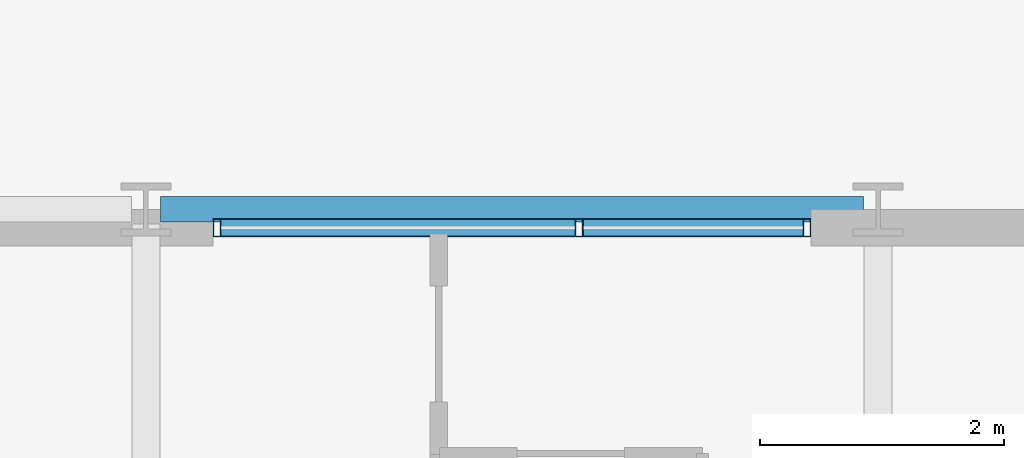
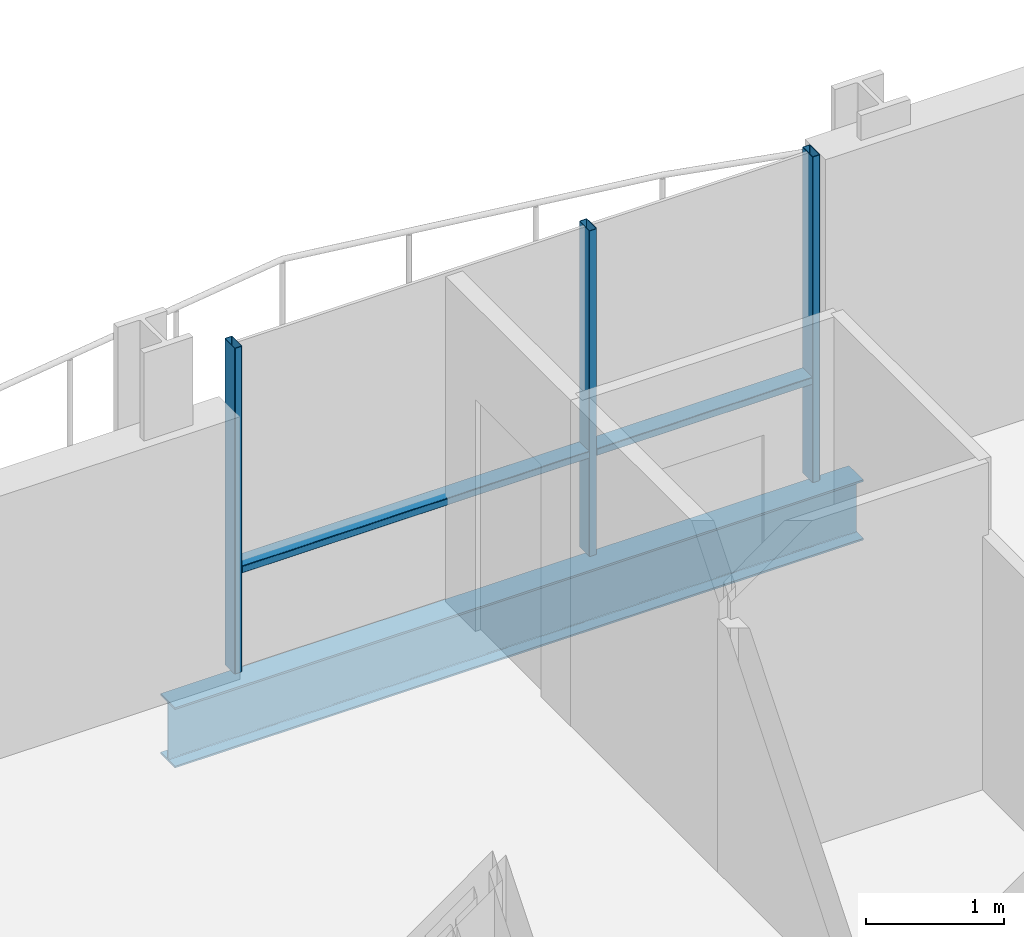
# One storey, part 24 of 41: 5 members, 1 beam, 1 element without a shape of its own.
"""IFC4 building model written with IfcOpenShell, lengths in metres."""

import ifcopenshell
import ifcopenshell.guid

model = None  # the IFC model being written
_history = None  # IfcOwnerHistory: only IFC2X3 demands one
_inside = {}  # id of a spatial element -> (the spatial element, [elements in it])
_under = {}  # id of a project, library or spatial element -> (it, [spatial elements below it])
_declared = {}  # id of a project -> (the project, [libraries it declares])
_typed = {}  # id of a type object -> (the type object, [elements of that type])
_made_of = {}  # id of a material, layer set ... -> (it, [elements and type objects made of it])


def new_model(schema):
    """Start an empty IFC model of exactly this schema.

    Asked for "IFC4X3", IfcOpenShell would pick the latest addendum, in which some entities
    have other attributes; the version numbers below select the first issue.
    IFC2X3 requires an IfcOwnerHistory on every rooted entity: one is made here for all.
    """
    global model, _history
    if schema == "IFC4X3":
        model = ifcopenshell.file(schema_version=(4, 3, 0, 0))
    else:
        model = ifcopenshell.file(schema=schema)
    _inside.clear()
    _under.clear()
    _declared.clear()
    _typed.clear()
    _made_of.clear()
    _history = None
    if model.schema == "IFC2X3":
        org = make("IfcOrganization", Name="unknown")
        user = make(
            "IfcPersonAndOrganization",
            ThePerson=make("IfcPerson", FamilyName="unknown"),
            TheOrganization=org,
        )
        app = make(
            "IfcApplication",
            ApplicationDeveloper=org,
            Version="unknown",
            ApplicationFullName="unknown",
            ApplicationIdentifier="unknown",
        )
        _history = make(
            "IfcOwnerHistory",
            OwningUser=user,
            OwningApplication=app,
            ChangeAction="ADDED",
            CreationDate=0,
        )
    return model


def make(cls, **values):
    """One entity of the class cls with the attributes given. An attribute that is None is left unset."""
    return model.create_entity(
        cls, **{name: value for name, value in values.items() if value is not None}
    )


def rooted(cls, **values):
    """An entity with a GlobalId (a new one), such as an element, a storey or a relation."""
    return make(cls, GlobalId=ifcopenshell.guid.new(), OwnerHistory=_history, **values)


def si_unit(unit_type, name, prefix=None):
    """IfcSIUnit, for example si_unit("LENGTHUNIT", "METRE", prefix="MILLI")."""
    return make("IfcSIUnit", UnitType=unit_type, Prefix=prefix, Name=name)


def assignment(units):
    """IfcUnitAssignment: the units of a project."""
    return None if units is None else make("IfcUnitAssignment", Units=units)


def point(xyz):
    """IfcCartesianPoint."""
    return None if xyz is None else make("IfcCartesianPoint", Coordinates=xyz)


def direction(xyz):
    """IfcDirection."""
    return None if xyz is None else make("IfcDirection", DirectionRatios=xyz)


def frame(location, z_axis=None, x_axis=None):
    """IfcAxis2Placement3D, a coordinate frame: its origin and axes. An axis left out is left unset."""
    return make(
        "IfcAxis2Placement3D",
        Location=point(location),
        Axis=direction(z_axis),
        RefDirection=direction(x_axis),
    )


def frame_2d(location, x_axis=None):
    """IfcAxis2Placement2D, a coordinate frame in the plane: its origin and x axis."""
    return make(
        "IfcAxis2Placement2D", Location=point(location), RefDirection=direction(x_axis)
    )


def origin():
    """The frame at (0, 0, 0) with its axes left unset."""
    return frame((0.0, 0.0, 0.0))


def origin_2d():
    """The frame at (0, 0) in the plane with its x axis left unset."""
    return frame_2d((0.0, 0.0))


def place(relative_to, where):
    """IfcLocalPlacement: puts the frame where relative to a parent placement (None: the world)."""
    return make(
        "IfcLocalPlacement", PlacementRelTo=relative_to, RelativePlacement=where
    )


def context(
    kind, dimensions, precision=None, world=None, true_north=None, identifier=None
):
    """IfcGeometricRepresentationContext, for example the 3D "Model" context."""
    return make(
        "IfcGeometricRepresentationContext",
        ContextIdentifier=identifier,
        ContextType=kind,
        CoordinateSpaceDimension=dimensions,
        Precision=precision,
        WorldCoordinateSystem=world,
        TrueNorth=true_north,
    )


def subcontext(parent, identifier, kind, view, scale=None):
    """IfcGeometricRepresentationSubContext, for example "Body" below "Model"."""
    return make(
        "IfcGeometricRepresentationSubContext",
        ContextIdentifier=identifier,
        ContextType=kind,
        ParentContext=parent,
        TargetScale=scale,
        TargetView=view,
    )


def project(units=None, contexts=None):
    """IfcProject with its units and contexts."""
    return rooted(
        "IfcProject",
        Name="project",
        RepresentationContexts=contexts,
        UnitsInContext=assignment(units),
    )


def spatial(cls, under=None, at=None, **own):
    """A site, building, storey or space (cls), placed at a placement, below another one or the project."""
    s = rooted(cls, ObjectPlacement=at, **own)
    if under is not None:
        _under.setdefault(under.id(), (under, []))[1].append(s)
    return s


def profile(cls, at=None, kind="AREA", **sizes):
    """A parametric profile (cls). Its sizes go by their IFC names, for example OverallWidth=200.0."""
    return make(cls, ProfileType=kind, Position=at, **sizes)


def hollow_rectangle(**sizes):
    """IfcRectangleHollowProfileDef."""
    return profile("IfcRectangleHollowProfileDef", **sizes)


def i_section(**sizes):
    """IfcIShapeProfileDef."""
    return profile("IfcIShapeProfileDef", **sizes)


def extrude(swept, where, along, depth):
    """IfcExtrudedAreaSolid: the profile swept, set in the frame where, extruded along a direction by depth."""
    return make(
        "IfcExtrudedAreaSolid",
        SweptArea=swept,
        Position=where,
        ExtrudedDirection=direction(along),
        Depth=depth,
    )


def shape(context_of_items, identifier, shape_type, items):
    """IfcShapeRepresentation: the items that make up one representation, for example the "Body"."""
    return make(
        "IfcShapeRepresentation",
        ContextOfItems=context_of_items,
        RepresentationIdentifier=identifier,
        RepresentationType=shape_type,
        Items=items,
    )


def material(Name=None, Category=None):
    """IfcMaterial."""
    return make("IfcMaterial", Name=Name, Category=Category)


def layer(
    of_material, thickness, ventilated=None, Name=None, Category=None, Priority=None
):
    """IfcMaterialLayer: one layer of a wall or slab, of a material (None: an air gap)."""
    return make(
        "IfcMaterialLayer",
        Material=of_material,
        LayerThickness=thickness,
        IsVentilated=ventilated,
        Name=Name,
        Category=Category,
        Priority=Priority,
    )


def layer_set(layers, Name=None):
    """IfcMaterialLayerSet."""
    return make("IfcMaterialLayerSet", MaterialLayers=layers, LayerSetName=Name)


def material_profile(
    of_material, cross_section, Name=None, Category=None, Priority=None
):
    """IfcMaterialProfile: a cross section and its material."""
    return make(
        "IfcMaterialProfile",
        Name=Name,
        Material=of_material,
        Profile=cross_section,
        Priority=Priority,
        Category=Category,
    )


def profile_set(profiles, Name=None, composite=None):
    """IfcMaterialProfileSet."""
    return make(
        "IfcMaterialProfileSet",
        Name=Name,
        MaterialProfiles=profiles,
        CompositeProfile=composite,
    )


def made_of(thing, what):
    """Note that an element or type object is made of a material, layer set ...; save() writes the relation."""
    if what is not None:
        _made_of.setdefault(what.id(), (what, []))[1].append(thing)
    return thing


def type_object(cls, material=None, **own):
    """A type object (cls), such as IfcWallType, which elements share."""
    return made_of(rooted(cls, **own), material)


def element(
    cls,
    number,
    at=None,
    inside=None,
    cuts=None,
    type_object=None,
    material=None,
    context=None,
    identifier="Body",
    shape_type=None,
    held_by="IfcProductDefinitionShape",
    body=None,
    shapes=None,
    **own,
):
    """One element of the class cls, such as IfcWall. Its Tag is "e" and its number.

    at: its placement. inside: the storey or other place that contains it. cuts: it is an
    opening in that element (IfcRelVoidsElement). A single representation is given by context,
    identifier, shape_type and body (its items); several are given by shapes. held_by: the class
    of the entity that holds the representations. save() writes the other relations.
    """
    e = rooted(cls, Tag="e%d" % number, ObjectPlacement=at, **own)
    if body is not None:
        shapes = [shape(context, identifier, shape_type, body)]
    if shapes is not None:
        e.Representation = make(held_by, Representations=shapes)
    if inside is not None:
        _inside.setdefault(inside.id(), (inside, []))[1].append(e)
    if cuts is not None:
        rooted(
            "IfcRelVoidsElement", RelatingBuildingElement=cuts, RelatedOpeningElement=e
        )
    if type_object is not None:
        _typed.setdefault(type_object.id(), (type_object, []))[1].append(e)
    return made_of(e, material)


def aggregate(whole, parts):
    """IfcRelAggregates: a whole, such as a stair, and the parts it consists of."""
    return rooted("IfcRelAggregates", RelatingObject=whole, RelatedObjects=parts)


def save(model, path):
    """Write the relations noted so far, then the file.

    IfcRelAggregates (storeys below a building ...), IfcRelContainedInSpatialStructure (elements
    in a storey), IfcRelDefinesByType, IfcRelAssociatesMaterial and IfcRelDeclares: one each for
    every whole, place, type object, material and project.
    """
    for whole, parts in _under.values():
        aggregate(whole, parts)
    for where, things in _inside.values():
        rooted(
            "IfcRelContainedInSpatialStructure",
            RelatedElements=things,
            RelatingStructure=where,
        )
    for kind, things in _typed.values():
        rooted("IfcRelDefinesByType", RelatedObjects=things, RelatingType=kind)
    for what, things in _made_of.values():
        rooted("IfcRelAssociatesMaterial", RelatedObjects=things, RelatingMaterial=what)
    for by, libraries in _declared.values():
        rooted("IfcRelDeclares", RelatingContext=by, RelatedDefinitions=libraries)
    model.write(path)


model = new_model("IFC4")

# Units and contexts
model_context = context("Model", 3, precision=1e-05, world=origin(), true_north=direction((0.0, 1.0)))
body_context = subcontext(model_context, "Body", "Model", "MODEL_VIEW")
ifc_project = project(units=[si_unit("LENGTHUNIT", "METRE"), si_unit("AREAUNIT", "SQUARE_METRE"), si_unit("VOLUMEUNIT", "CUBIC_METRE"), si_unit("PLANEANGLEUNIT", "RADIAN"), si_unit("MASSUNIT", "GRAM", prefix="KILO")], contexts=[model_context])

# Site, building, storey
site_placement = place(None, origin())
site = spatial("IfcSite", under=ifc_project, at=site_placement, CompositionType="ELEMENT")
building_placement = place(site_placement, origin())
building = spatial("IfcBuilding", under=site, at=building_placement, Name="Brevholm Reach", CompositionType="ELEMENT")
storey_placement = place(building_placement, frame((0.0, 0.0, 106.60009765625)))
storey = spatial("IfcBuildingStorey", under=building, at=storey_placement, Name="L31", CompositionType="ELEMENT", Elevation=106.60009765625)

# Beam
ifc_material_1 = material(Name="Structural Steel S355J2", Category="steel")
ifc_material_profile_1 = material_profile(ifc_material_1, i_section(OverallWidth=0.209228515625, OverallDepth=0.533203125, WebThickness=0.010009765625, FlangeThickness=0.015625, FilletRadius=0.0126953125, at=origin_2d()), Name="UKB 533x210x92")
ifc_profile_set_1 = profile_set([ifc_material_profile_1], Name="Structural Steel S355J2")
beam_type = type_object("IfcBeamType", Name="BM-SP533", PredefinedType="SPANDREL", material=ifc_profile_set_1)
beam_placement = place(storey_placement, frame((48.1201171875, 31.0, -0.486572265625), z_axis=(1.0, 0.0, 0.0), x_axis=(0.0, 1.0, 0.0)))
element("IfcBeam", 1, at=beam_placement, inside=storey, type_object=beam_type, Name="L31 SP-02 Framing Beam", PredefinedType="SPANDREL", context=body_context, shape_type="SweptSolid", body=[
    extrude(i_section(OverallWidth=0.209228515625, OverallDepth=0.533203125, WebThickness=0.010009765625, FlangeThickness=0.015625, FilletRadius=0.0126953125, at=origin_2d()), origin(), (0.0, 0.0, 1.0), 5.759765625),
])

# Curtain wall, members
ifc_material_2 = material(Name="Dark Anodised Aluminium 6063-T6 and Solar-Control Glass", Category="aluminium")
ifc_layer = layer(ifc_material_2, 0.14990234375)
ifc_layer_set = layer_set([ifc_layer], Name="Dark Anodised Aluminium 6063-T6 and Solar-Control Glass")
curtain_wall_type = type_object("IfcCurtainWallType", Name="CW-01", PredefinedType="NOTDEFINED", material=ifc_layer_set)
curtain_wall_placement = place(storey_placement, origin())
curtain_wall = element("IfcCurtainWall", 2, at=curtain_wall_placement, inside=storey, type_object=curtain_wall_type, Name="L31 Curtain Wall CW-01", PredefinedType="NOTDEFINED")
ifc_material_3 = material(Name="Dark Anodised Aluminium 6063-T6", Category="aluminium")
ifc_material_profile_2 = material_profile(ifc_material_3, hollow_rectangle(XDim=0.06494140625, YDim=0.14990234375, WallThickness=0.0048828125, InnerFilletRadius=0.0048828125, OuterFilletRadius=0.010009765625, at=origin_2d()), Name="RHS 150x65x5")
ifc_profile_set_2 = profile_set([ifc_material_profile_2], Name="Dark Anodised Aluminium 6063-T6")
member_type_1 = type_object("IfcMemberType", Name="CWM-150", PredefinedType="MULLION", material=ifc_profile_set_2)
member_1_placement = place(storey_placement, frame((48.58251953125, 30.85009765625, 0.0), z_axis=(0.0, 0.0, 1.0), x_axis=(1.0, 0.0, 0.0)))
member_1 = element("IfcMember", 3, at=member_1_placement, type_object=member_type_1, Name="CM-150 Mullion 1", PredefinedType="MULLION", context=body_context, shape_type="SweptSolid", body=[
    extrude(hollow_rectangle(XDim=0.06494140625, YDim=0.14990234375, WallThickness=0.0048828125, InnerFilletRadius=0.0048828125, OuterFilletRadius=0.010009765625, at=origin_2d()), origin(), (0.0, 0.0, 1.0), 2.8798828125),
])
member_2_placement = place(storey_placement, frame((51.550048828125, 30.85009765625, 0.0), z_axis=(0.0, 0.0, 1.0), x_axis=(1.0, 0.0, 0.0)))
member_2 = element("IfcMember", 4, at=member_2_placement, type_object=member_type_1, Name="CM-150 Mullion 2", PredefinedType="MULLION", context=body_context, shape_type="SweptSolid", body=[
    extrude(hollow_rectangle(XDim=0.06494140625, YDim=0.14990234375, WallThickness=0.0048828125, InnerFilletRadius=0.0048828125, OuterFilletRadius=0.010009765625, at=origin_2d()), origin(), (0.0, 0.0, 1.0), 2.8798828125),
])
member_3_placement = place(storey_placement, frame((53.41748046875, 30.85009765625, 0.0), z_axis=(0.0, 0.0, 1.0), x_axis=(1.0, 0.0, 0.0)))
member_3 = element("IfcMember", 5, at=member_3_placement, type_object=member_type_1, Name="CM-150 Mullion 3", PredefinedType="MULLION", context=body_context, shape_type="SweptSolid", body=[
    extrude(hollow_rectangle(XDim=0.06494140625, YDim=0.14990234375, WallThickness=0.0048828125, InnerFilletRadius=0.0048828125, OuterFilletRadius=0.010009765625, at=origin_2d()), origin(), (0.0, 0.0, 1.0), 2.8798828125),
])
ifc_material_4 = material(Name="Dark Anodised Aluminium 6063-T6", Category="aluminium")
ifc_material_profile_3 = material_profile(ifc_material_4, hollow_rectangle(XDim=0.06494140625, YDim=0.14990234375, WallThickness=0.0048828125, InnerFilletRadius=0.0048828125, OuterFilletRadius=0.010009765625, at=origin_2d()), Name="RHS 150x65x5")
ifc_profile_set_3 = profile_set([ifc_material_profile_3], Name="Dark Anodised Aluminium 6063-T6")
member_type_2 = type_object("IfcMemberType", Name="CWT-150", PredefinedType="NOTDEFINED", material=ifc_profile_set_3)
member_4_placement = place(storey_placement, frame((48.614990234375, 30.85009765625, 0.89990234375), z_axis=(1.0, 0.0, 0.0), x_axis=(0.0, 0.0, 1.0)))
member_4 = element("IfcMember", 6, at=member_4_placement, type_object=member_type_2, Name="CT-150 Transom 1.1", ObjectType="TRANSOM", PredefinedType="USERDEFINED", context=body_context, shape_type="SweptSolid", body=[
    extrude(hollow_rectangle(XDim=0.06494140625, YDim=0.14990234375, WallThickness=0.0048828125, InnerFilletRadius=0.0048828125, OuterFilletRadius=0.010009765625, at=origin_2d()), origin(), (0.0, 0.0, 1.0), 2.902587890625),
])
member_5_placement = place(storey_placement, frame((51.58251953125, 30.85009765625, 0.89990234375), z_axis=(1.0, 0.0, 0.0), x_axis=(0.0, 0.0, 1.0)))
member_5 = element("IfcMember", 7, at=member_5_placement, type_object=member_type_2, Name="CT-150 Transom 2.1", ObjectType="TRANSOM", PredefinedType="USERDEFINED", context=body_context, shape_type="SweptSolid", body=[
    extrude(hollow_rectangle(XDim=0.06494140625, YDim=0.14990234375, WallThickness=0.0048828125, InnerFilletRadius=0.0048828125, OuterFilletRadius=0.010009765625, at=origin_2d()), origin(), (0.0, 0.0, 1.0), 1.802490234375),
])
aggregate(curtain_wall, [member_1, member_2, member_3, member_4, member_5])

save(model, "model.ifc")
